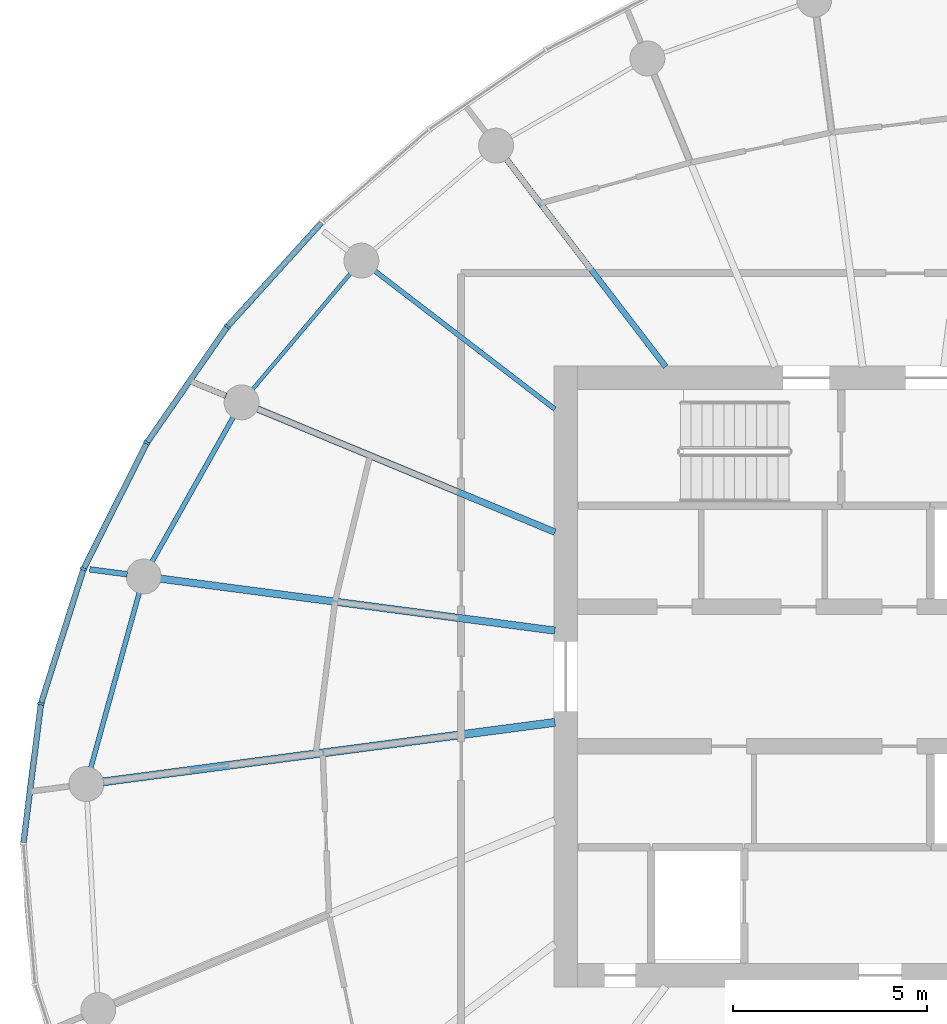
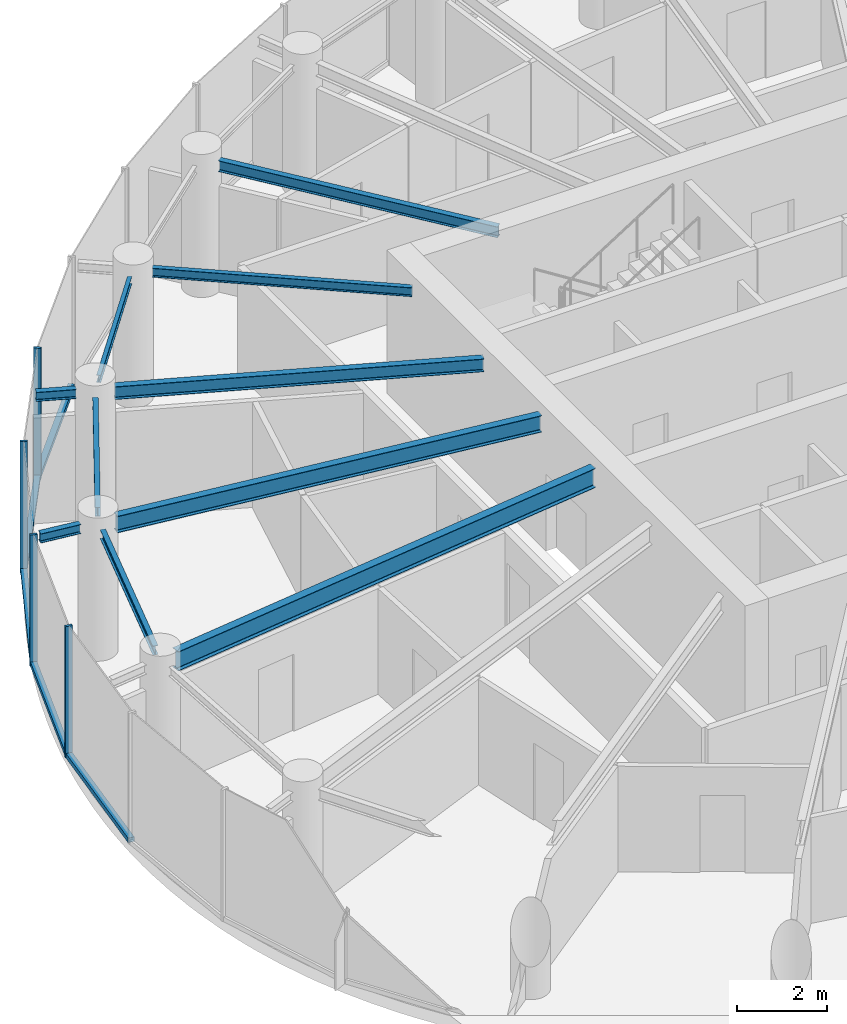
# One storey, part 4 of 15: 10 beams, 9 members, 2 elements without a shape of their own.
"""IFC4 building model written with IfcOpenShell, lengths in metres."""

import ifcopenshell
import ifcopenshell.guid

model = None  # the IFC model being written
_history = None  # IfcOwnerHistory: only IFC2X3 demands one
_inside = {}  # id of a spatial element -> (the spatial element, [elements in it])
_under = {}  # id of a project, library or spatial element -> (it, [spatial elements below it])
_declared = {}  # id of a project -> (the project, [libraries it declares])
_typed = {}  # id of a type object -> (the type object, [elements of that type])
_made_of = {}  # id of a material, layer set ... -> (it, [elements and type objects made of it])


def new_model(schema):
    """Start an empty IFC model of exactly this schema.

    Asked for "IFC4X3", IfcOpenShell would pick the latest addendum, in which some entities
    have other attributes; the version numbers below select the first issue.
    IFC2X3 requires an IfcOwnerHistory on every rooted entity: one is made here for all.
    """
    global model, _history
    if schema == "IFC4X3":
        model = ifcopenshell.file(schema_version=(4, 3, 0, 0))
    else:
        model = ifcopenshell.file(schema=schema)
    _inside.clear()
    _under.clear()
    _declared.clear()
    _typed.clear()
    _made_of.clear()
    _history = None
    if model.schema == "IFC2X3":
        org = make("IfcOrganization", Name="unknown")
        user = make(
            "IfcPersonAndOrganization",
            ThePerson=make("IfcPerson", FamilyName="unknown"),
            TheOrganization=org,
        )
        app = make(
            "IfcApplication",
            ApplicationDeveloper=org,
            Version="unknown",
            ApplicationFullName="unknown",
            ApplicationIdentifier="unknown",
        )
        _history = make(
            "IfcOwnerHistory",
            OwningUser=user,
            OwningApplication=app,
            ChangeAction="ADDED",
            CreationDate=0,
        )
    return model


def make(cls, **values):
    """One entity of the class cls with the attributes given. An attribute that is None is left unset."""
    return model.create_entity(
        cls, **{name: value for name, value in values.items() if value is not None}
    )


def rooted(cls, **values):
    """An entity with a GlobalId (a new one), such as an element, a storey or a relation."""
    return make(cls, GlobalId=ifcopenshell.guid.new(), OwnerHistory=_history, **values)


def si_unit(unit_type, name, prefix=None):
    """IfcSIUnit, for example si_unit("LENGTHUNIT", "METRE", prefix="MILLI")."""
    return make("IfcSIUnit", UnitType=unit_type, Prefix=prefix, Name=name)


def assignment(units):
    """IfcUnitAssignment: the units of a project."""
    return None if units is None else make("IfcUnitAssignment", Units=units)


def point(xyz):
    """IfcCartesianPoint."""
    return None if xyz is None else make("IfcCartesianPoint", Coordinates=xyz)


def direction(xyz):
    """IfcDirection."""
    return None if xyz is None else make("IfcDirection", DirectionRatios=xyz)


def frame(location, z_axis=None, x_axis=None):
    """IfcAxis2Placement3D, a coordinate frame: its origin and axes. An axis left out is left unset."""
    return make(
        "IfcAxis2Placement3D",
        Location=point(location),
        Axis=direction(z_axis),
        RefDirection=direction(x_axis),
    )


def frame_2d(location, x_axis=None):
    """IfcAxis2Placement2D, a coordinate frame in the plane: its origin and x axis."""
    return make(
        "IfcAxis2Placement2D", Location=point(location), RefDirection=direction(x_axis)
    )


def origin():
    """The frame at (0, 0, 0) with its axes left unset."""
    return frame((0.0, 0.0, 0.0))


def origin_2d():
    """The frame at (0, 0) in the plane with its x axis left unset."""
    return frame_2d((0.0, 0.0))


def place(relative_to, where):
    """IfcLocalPlacement: puts the frame where relative to a parent placement (None: the world)."""
    return make(
        "IfcLocalPlacement", PlacementRelTo=relative_to, RelativePlacement=where
    )


def context(
    kind, dimensions, precision=None, world=None, true_north=None, identifier=None
):
    """IfcGeometricRepresentationContext, for example the 3D "Model" context."""
    return make(
        "IfcGeometricRepresentationContext",
        ContextIdentifier=identifier,
        ContextType=kind,
        CoordinateSpaceDimension=dimensions,
        Precision=precision,
        WorldCoordinateSystem=world,
        TrueNorth=true_north,
    )


def subcontext(parent, identifier, kind, view, scale=None):
    """IfcGeometricRepresentationSubContext, for example "Body" below "Model"."""
    return make(
        "IfcGeometricRepresentationSubContext",
        ContextIdentifier=identifier,
        ContextType=kind,
        ParentContext=parent,
        TargetScale=scale,
        TargetView=view,
    )


def project(units=None, contexts=None):
    """IfcProject with its units and contexts."""
    return rooted(
        "IfcProject",
        Name="project",
        RepresentationContexts=contexts,
        UnitsInContext=assignment(units),
    )


def spatial(cls, under=None, at=None, **own):
    """A site, building, storey or space (cls), placed at a placement, below another one or the project."""
    s = rooted(cls, ObjectPlacement=at, **own)
    if under is not None:
        _under.setdefault(under.id(), (under, []))[1].append(s)
    return s


def profile(cls, at=None, kind="AREA", **sizes):
    """A parametric profile (cls). Its sizes go by their IFC names, for example OverallWidth=200.0."""
    return make(cls, ProfileType=kind, Position=at, **sizes)


def rectangle(**sizes):
    """IfcRectangleProfileDef."""
    return profile("IfcRectangleProfileDef", **sizes)


def i_section(**sizes):
    """IfcIShapeProfileDef."""
    return profile("IfcIShapeProfileDef", **sizes)


def extrude(swept, where, along, depth):
    """IfcExtrudedAreaSolid: the profile swept, set in the frame where, extruded along a direction by depth."""
    return make(
        "IfcExtrudedAreaSolid",
        SweptArea=swept,
        Position=where,
        ExtrudedDirection=direction(along),
        Depth=depth,
    )


def shape(context_of_items, identifier, shape_type, items):
    """IfcShapeRepresentation: the items that make up one representation, for example the "Body"."""
    return make(
        "IfcShapeRepresentation",
        ContextOfItems=context_of_items,
        RepresentationIdentifier=identifier,
        RepresentationType=shape_type,
        Items=items,
    )


def source(mapping_origin, context_of_items, identifier, shape_type, items):
    """IfcRepresentationMap: a shape defined once, which mapped items show again and again."""
    return make(
        "IfcRepresentationMap",
        MappingOrigin=mapping_origin,
        MappedRepresentation=shape(context_of_items, identifier, shape_type, items),
    )


def transform(
    local_origin,
    x_axis=None,
    y_axis=None,
    z_axis=None,
    scale=None,
    scale2=None,
    scale3=None,
    uniform=True,
):
    """IfcCartesianTransformationOperator3D, or its non-uniform kind. x_axis, y_axis, z_axis: its Axis1, 2, 3."""
    if uniform:
        return make(
            "IfcCartesianTransformationOperator3D",
            Axis1=direction(x_axis),
            Axis2=direction(y_axis),
            LocalOrigin=point(local_origin),
            Scale=scale,
            Axis3=direction(z_axis),
        )
    return make(
        "IfcCartesianTransformationOperator3DnonUniform",
        Axis1=direction(x_axis),
        Axis2=direction(y_axis),
        LocalOrigin=point(local_origin),
        Scale=scale,
        Axis3=direction(z_axis),
        Scale2=scale2,
        Scale3=scale3,
    )


def mapped(mapping_source, mapping_target):
    """IfcMappedItem: shows the shape of a source again, moved by a transform."""
    return make(
        "IfcMappedItem", MappingSource=mapping_source, MappingTarget=mapping_target
    )


def material(Name=None, Category=None):
    """IfcMaterial."""
    return make("IfcMaterial", Name=Name, Category=Category)


def layer(
    of_material, thickness, ventilated=None, Name=None, Category=None, Priority=None
):
    """IfcMaterialLayer: one layer of a wall or slab, of a material (None: an air gap)."""
    return make(
        "IfcMaterialLayer",
        Material=of_material,
        LayerThickness=thickness,
        IsVentilated=ventilated,
        Name=Name,
        Category=Category,
        Priority=Priority,
    )


def layer_set(layers, Name=None):
    """IfcMaterialLayerSet."""
    return make("IfcMaterialLayerSet", MaterialLayers=layers, LayerSetName=Name)


def material_profile(
    of_material, cross_section, Name=None, Category=None, Priority=None
):
    """IfcMaterialProfile: a cross section and its material."""
    return make(
        "IfcMaterialProfile",
        Name=Name,
        Material=of_material,
        Profile=cross_section,
        Priority=Priority,
        Category=Category,
    )


def profile_set(profiles, Name=None, composite=None):
    """IfcMaterialProfileSet."""
    return make(
        "IfcMaterialProfileSet",
        Name=Name,
        MaterialProfiles=profiles,
        CompositeProfile=composite,
    )


def made_of(thing, what):
    """Note that an element or type object is made of a material, layer set ...; save() writes the relation."""
    if what is not None:
        _made_of.setdefault(what.id(), (what, []))[1].append(thing)
    return thing


def type_object(cls, material=None, **own):
    """A type object (cls), such as IfcWallType, which elements share."""
    return made_of(rooted(cls, **own), material)


def element(
    cls,
    number,
    at=None,
    inside=None,
    cuts=None,
    type_object=None,
    material=None,
    context=None,
    identifier="Body",
    shape_type=None,
    held_by="IfcProductDefinitionShape",
    body=None,
    shapes=None,
    **own,
):
    """One element of the class cls, such as IfcWall. Its Tag is "e" and its number.

    at: its placement. inside: the storey or other place that contains it. cuts: it is an
    opening in that element (IfcRelVoidsElement). A single representation is given by context,
    identifier, shape_type and body (its items); several are given by shapes. held_by: the class
    of the entity that holds the representations. save() writes the other relations.
    """
    e = rooted(cls, Tag="e%d" % number, ObjectPlacement=at, **own)
    if body is not None:
        shapes = [shape(context, identifier, shape_type, body)]
    if shapes is not None:
        e.Representation = make(held_by, Representations=shapes)
    if inside is not None:
        _inside.setdefault(inside.id(), (inside, []))[1].append(e)
    if cuts is not None:
        rooted(
            "IfcRelVoidsElement", RelatingBuildingElement=cuts, RelatedOpeningElement=e
        )
    if type_object is not None:
        _typed.setdefault(type_object.id(), (type_object, []))[1].append(e)
    return made_of(e, material)


def aggregate(whole, parts):
    """IfcRelAggregates: a whole, such as a stair, and the parts it consists of."""
    return rooted("IfcRelAggregates", RelatingObject=whole, RelatedObjects=parts)


def save(model, path):
    """Write the relations noted so far, then the file.

    IfcRelAggregates (storeys below a building ...), IfcRelContainedInSpatialStructure (elements
    in a storey), IfcRelDefinesByType, IfcRelAssociatesMaterial and IfcRelDeclares: one each for
    every whole, place, type object, material and project.
    """
    for whole, parts in _under.values():
        aggregate(whole, parts)
    for where, things in _inside.values():
        rooted(
            "IfcRelContainedInSpatialStructure",
            RelatedElements=things,
            RelatingStructure=where,
        )
    for kind, things in _typed.values():
        rooted("IfcRelDefinesByType", RelatedObjects=things, RelatingType=kind)
    for what, things in _made_of.values():
        rooted("IfcRelAssociatesMaterial", RelatedObjects=things, RelatingMaterial=what)
    for by, libraries in _declared.values():
        rooted("IfcRelDeclares", RelatingContext=by, RelatedDefinitions=libraries)
    model.write(path)


model = new_model("IFC4")

# Units and contexts
model_context = context("Model", 3, precision=1e-05, world=origin(), true_north=direction((0.0, 1.0)))
body_context = subcontext(model_context, "Body", "Model", "MODEL_VIEW")
ifc_project = project(units=[si_unit("LENGTHUNIT", "METRE"), si_unit("AREAUNIT", "SQUARE_METRE"), si_unit("VOLUMEUNIT", "CUBIC_METRE"), si_unit("PLANEANGLEUNIT", "RADIAN"), si_unit("MASSUNIT", "GRAM", prefix="KILO")], contexts=[model_context])

# Site, building, storey
site_placement = place(None, origin())
site = spatial("IfcSite", under=ifc_project, at=site_placement, CompositionType="ELEMENT")
building_placement = place(site_placement, origin())
building = spatial("IfcBuilding", under=site, at=building_placement, Name="Spindrift Exchange Tower", CompositionType="ELEMENT")
storey_placement = place(building_placement, frame((0.0, 0.0, 195.5)))
storey = spatial("IfcBuildingStorey", under=building, at=storey_placement, Name="L47", CompositionType="ELEMENT", Elevation=195.5)

# Beams
ifc_material_1 = material(Name="Steel Grade 300", Category="steel")
ifc_material_profile_1 = material_profile(ifc_material_1, i_section(OverallWidth=0.208984375, OverallDepth=0.528076171875, WebThickness=0.009521484375, FlangeThickness=0.01318359375, FilletRadius=0.013916015625, at=origin_2d()), Name="530UB82.0")
ifc_profile_set_1 = profile_set([ifc_material_profile_1], Name="Steel Grade 300")
beam_type_1 = type_object("IfcBeamType", Name="Floor Beam 530UB82.0 Steel Grade 300", PredefinedType="BEAM", material=ifc_profile_set_1)
shared_shape_1 = source(origin(), body_context, "Body", "SweptSolid", [
    extrude(i_section(OverallWidth=0.208984375, OverallDepth=0.528076171875, WebThickness=0.009521484375, FlangeThickness=0.01318359375, FilletRadius=0.013916015625, at=origin_2d()), origin(), (0.0, 0.0, 1.0), 11.75634765625),
])
beam_1_placement = place(storey_placement, frame((43.019775390625, 46.817626953125, 3.31591796875), z_axis=(-0.991445811455, -0.13051897543, 0.0), x_axis=(0.13051897543, -0.991445811455, 0.0)))
element("IfcBeam", 1, at=beam_1_placement, inside=storey, type_object=beam_type_1, Name="L47 radial beam R13A", PredefinedType="BEAM", context=body_context, shape_type="MappedRepresentation", body=[
    mapped(shared_shape_1, transform((0.0, 0.0, 0.0), scale=1.0)),
])
ifc_material_profile_2 = material_profile(ifc_material_1, i_section(OverallWidth=0.14892578125, OverallDepth=0.298095703125, WebThickness=0.005615234375, FlangeThickness=0.008056640625, FilletRadius=0.012939453125, at=origin_2d()), Name="310UB32.0")
ifc_profile_set_2 = profile_set([ifc_material_profile_2], Name="Steel Grade 300")
beam_type_2 = type_object("IfcBeamType", Name="Floor Beam 310UB32.0 Steel Grade 300", PredefinedType="BEAM", material=ifc_profile_set_2)
shared_shape_2 = source(origin(), body_context, "Body", "SweptSolid", [
    extrude(i_section(OverallWidth=0.14892578125, OverallDepth=0.298095703125, WebThickness=0.005615234375, FlangeThickness=0.008056640625, FilletRadius=0.012939453125, at=origin_2d()), origin(), (0.0, 0.0, 1.0), 6.753173828125),
])
beam_2_placement = place(storey_placement, frame((45.87353515625, 55.984130859375, 3.430908203125), z_axis=(-0.608761639459, 0.793353178807, 0.0), x_axis=(-0.793353178807, -0.608761639459, 0.0)))
element("IfcBeam", 2, at=beam_2_placement, inside=storey, type_object=beam_type_2, Name="L47 radial beam R09A", PredefinedType="BEAM", context=body_context, shape_type="MappedRepresentation", body=[
    mapped(shared_shape_2, transform((0.0, 0.0, 0.0), scale=1.0)),
])
ifc_material_profile_3 = material_profile(ifc_material_1, i_section(OverallWidth=0.1240234375, OverallDepth=0.248046875, WebThickness=0.0048828125, FlangeThickness=0.008056640625, FilletRadius=0.011962890625, at=origin_2d()), Name="250UB25.7")
ifc_profile_set_3 = profile_set([ifc_material_profile_3], Name="Steel Grade 300")
beam_type_3 = type_object("IfcBeamType", Name="Floor Beam 250UB25.7 Steel Grade 300", PredefinedType="BEAM", material=ifc_profile_set_3)
shared_shape_3 = source(origin(), body_context, "Body", "SweptSolid", [
    extrude(i_section(OverallWidth=0.1240234375, OverallDepth=0.248046875, WebThickness=0.0048828125, FlangeThickness=0.008056640625, FilletRadius=0.011962890625, at=origin_2d()), origin(), (0.0, 0.0, 1.0), 5.855712890625),
])
beam_3_placement = place(storey_placement, frame((43.015869140625, 54.893798828125, 3.4560546875), z_axis=(-0.793362708479, 0.608749219954, 0.0), x_axis=(-0.608749219954, -0.793362708479, 0.0)))
element("IfcBeam", 3, at=beam_3_placement, inside=storey, type_object=beam_type_3, Name="L47 radial beam R10A", PredefinedType="BEAM", context=body_context, shape_type="MappedRepresentation", body=[
    mapped(shared_shape_3, transform((0.0, 0.0, 0.0), scale=1.0)),
])
ifc_material_profile_4 = material_profile(ifc_material_1, i_section(OverallWidth=0.1708984375, OverallDepth=0.35205078125, WebThickness=0.0068359375, FlangeThickness=0.009765625, FilletRadius=0.013916015625, at=origin_2d()), Name="360UB44.7")
ifc_profile_set_4 = profile_set([ifc_material_profile_4], Name="Steel Grade 300")
beam_type_4 = type_object("IfcBeamType", Name="Floor Beam 360UB44.7 Steel Grade 300", PredefinedType="BEAM", material=ifc_profile_set_4)
shared_shape_4 = source(origin(), body_context, "Body", "SweptSolid", [
    extrude(i_section(OverallWidth=0.1708984375, OverallDepth=0.35205078125, WebThickness=0.0068359375, FlangeThickness=0.009765625, FilletRadius=0.013916015625, at=origin_2d()), origin(), (0.0, 0.0, 1.0), 8.3134765625),
])
beam_4_placement = place(storey_placement, frame((43.0185546875, 51.72021484375, 3.404052734375), z_axis=(-0.923881179957, 0.382679455055, 0.0), x_axis=(-0.382679455055, -0.923881179957, 0.0)))
element("IfcBeam", 4, at=beam_4_placement, inside=storey, type_object=beam_type_4, Name="L47 radial beam R11A", PredefinedType="BEAM", context=body_context, shape_type="MappedRepresentation", body=[
    mapped(shared_shape_4, transform((0.0, 0.0, 0.0), scale=1.0)),
])
ifc_material_profile_5 = material_profile(ifc_material_1, i_section(OverallWidth=0.18994140625, OverallDepth=0.4541015625, WebThickness=0.008544921875, FlangeThickness=0.0126953125, FilletRadius=0.013916015625, at=origin_2d()), Name="460UB67.1")
ifc_profile_set_5 = profile_set([ifc_material_profile_5], Name="Steel Grade 300")
beam_type_5 = type_object("IfcBeamType", Name="Floor Beam 460UB67.1 Steel Grade 300", PredefinedType="BEAM", material=ifc_profile_set_5)
shared_shape_5 = source(origin(), body_context, "Body", "SweptSolid", [
    extrude(i_section(OverallWidth=0.18994140625, OverallDepth=0.4541015625, WebThickness=0.008544921875, FlangeThickness=0.0126953125, FilletRadius=0.013916015625, at=origin_2d()), origin(), (0.0, 0.0, 1.0), 10.262451171875),
])
beam_5_placement = place(storey_placement, frame((43.019775390625, 49.182373046875, 3.35302734375), z_axis=(-0.991446763371, 0.130511744304, 0.0), x_axis=(-0.130511744304, -0.991446763371, 0.0)))
element("IfcBeam", 5, at=beam_5_placement, inside=storey, type_object=beam_type_5, Name="L47 radial beam R12A", PredefinedType="BEAM", context=body_context, shape_type="MappedRepresentation", body=[
    mapped(shared_shape_5, transform((0.0, 0.0, 0.0), scale=1.0)),
])
ifc_material_profile_6 = material_profile(ifc_material_1, i_section(OverallWidth=0.09912109375, OverallDepth=0.197998046875, WebThickness=0.00439453125, FlangeThickness=0.007080078125, FilletRadius=0.010986328125, at=origin_2d()), Name="200UB18.2")
ifc_profile_set_6 = profile_set([ifc_material_profile_6], Name="Steel Grade 300")
beam_type_6 = type_object("IfcBeamType", Name="Edge Beam 200UB18.2 Steel Grade 300", PredefinedType="SPANDREL", material=ifc_profile_set_6)
shared_shape_6 = source(origin(), body_context, "Body", "SweptSolid", [
    extrude(i_section(OverallWidth=0.09912109375, OverallDepth=0.197998046875, WebThickness=0.00439453125, FlangeThickness=0.007080078125, FilletRadius=0.010986328125, at=origin_2d()), origin(), (0.0, 0.0, 1.0), 3.92431640625),
])
beam_6_placement = place(storey_placement, frame((37.75146484375, 58.391845703125, 3.48095703125), z_axis=(-0.645498720032, -0.763761351757, 0.0), x_axis=(0.763761351757, -0.645498720032, 0.0)))
element("IfcBeam", 6, at=beam_6_placement, inside=storey, type_object=beam_type_6, Name="L47 edge beam E10", PredefinedType="SPANDREL", context=body_context, shape_type="MappedRepresentation", body=[
    mapped(shared_shape_6, transform((0.0, 0.0, 0.0), scale=1.0)),
])
ifc_material_profile_7 = material_profile(ifc_material_1, i_section(OverallWidth=0.1240234375, OverallDepth=0.248046875, WebThickness=0.0048828125, FlangeThickness=0.008056640625, FilletRadius=0.011962890625, at=origin_2d()), Name="250UB25.7")
ifc_profile_set_7 = profile_set([ifc_material_profile_7], Name="Steel Grade 300")
beam_type_7 = type_object("IfcBeamType", Name="Edge Beam 250UB25.7 Steel Grade 300", PredefinedType="SPANDREL", material=ifc_profile_set_7)
shared_shape_7 = source(origin(), body_context, "Body", "SweptSolid", [
    extrude(i_section(OverallWidth=0.1240234375, OverallDepth=0.248046875, WebThickness=0.0048828125, FlangeThickness=0.008056640625, FilletRadius=0.011962890625, at=origin_2d()), origin(), (0.0, 0.0, 1.0), 4.2880859375),
])
beam_7_placement = place(storey_placement, frame((34.72998046875, 54.69140625, 3.4560546875), z_axis=(-0.489804347673, -0.871832381253, 0.0), x_axis=(0.871832381253, -0.489804347673, 0.0)))
element("IfcBeam", 7, at=beam_7_placement, inside=storey, type_object=beam_type_7, Name="L47 edge beam E11", PredefinedType="SPANDREL", context=body_context, shape_type="MappedRepresentation", body=[
    mapped(shared_shape_7, transform((0.0, 0.0, 0.0), scale=1.0)),
])
shared_shape_8 = source(origin(), body_context, "Body", "SweptSolid", [
    extrude(i_section(OverallWidth=0.1240234375, OverallDepth=0.248046875, WebThickness=0.0048828125, FlangeThickness=0.008056640625, FilletRadius=0.011962890625, at=origin_2d()), origin(), (0.0, 0.0, 1.0), 4.69189453125),
])
beam_8_placement = place(storey_placement, frame((32.30419921875, 50.16357421875, 3.4560546875), z_axis=(-0.266774248618, -0.963759046792, 0.0), x_axis=(0.963759046792, -0.266774248618, 0.0)))
element("IfcBeam", 8, at=beam_8_placement, inside=storey, type_object=beam_type_7, Name="L47 edge beam E12", PredefinedType="SPANDREL", context=body_context, shape_type="MappedRepresentation", body=[
    mapped(shared_shape_8, transform((0.0, 0.0, 0.0), scale=1.0)),
])
ifc_material_profile_8 = material_profile(ifc_material_1, i_section(OverallWidth=0.14599609375, OverallDepth=0.251953125, WebThickness=0.006103515625, FlangeThickness=0.008544921875, FilletRadius=0.011962890625, at=origin_2d()), Name="250UB31.4")
ifc_profile_set_8 = profile_set([ifc_material_profile_8], Name="Steel Grade 300")
beam_type_8 = type_object("IfcBeamType", Name="Cantilever Beam 250UB31.4 Steel Grade 300", PredefinedType="BEAM", material=ifc_profile_set_8)
shared_shape_9 = source(origin(), body_context, "Body", "SweptSolid", [
    extrude(i_section(OverallWidth=0.14599609375, OverallDepth=0.251953125, WebThickness=0.006103515625, FlangeThickness=0.008544921875, FilletRadius=0.011962890625, at=origin_2d()), origin(), (0.0, 0.0, 1.0), 0.907470703125),
])
beam_9_placement = place(storey_placement, frame((34.543212890625, 55.230712890625, 3.4541015625), z_axis=(-0.923823345781, 0.382819050975, 0.0), x_axis=(-0.382819050975, -0.923823345781, 0.0)))
element("IfcBeam", 9, at=beam_9_placement, inside=storey, type_object=beam_type_8, Name="L47 cantilever beam R11T", PredefinedType="BEAM", context=body_context, shape_type="MappedRepresentation", body=[
    mapped(shared_shape_9, transform((0.0, 0.0, 0.0), scale=1.0)),
])
shared_shape_10 = source(origin(), body_context, "Body", "SweptSolid", [
    extrude(i_section(OverallWidth=0.14599609375, OverallDepth=0.251953125, WebThickness=0.006103515625, FlangeThickness=0.008544921875, FilletRadius=0.011962890625, at=origin_2d()), origin(), (0.0, 0.0, 1.0), 0.975830078125),
])
beam_10_placement = place(storey_placement, frame((31.99267578125, 50.634033203125, 3.4541015625), z_axis=(-0.99143640455, 0.130590412106, 0.0), x_axis=(-0.130590412106, -0.99143640455, 0.0)))
element("IfcBeam", 10, at=beam_10_placement, inside=storey, type_object=beam_type_8, Name="L47 cantilever beam R12T", PredefinedType="BEAM", context=body_context, shape_type="MappedRepresentation", body=[
    mapped(shared_shape_10, transform((0.0, 0.0, 0.0), scale=1.0)),
])

# Curtain wall, members
ifc_material_2 = material(Name="Fritted laminated glass with bronze frame", Category="glass")
ifc_layer = layer(ifc_material_2, 0.169921875)
ifc_layer_set = layer_set([ifc_layer], Name="ZONE 4 BRONZE FRITTED WALL")
curtain_wall_type = type_object("IfcCurtainWallType", Name="ZONE 4 BRONZE FRITTED WALL", PredefinedType="NOTDEFINED", material=ifc_layer_set)
curtain_wall_1_placement = place(storey_placement, origin())
curtain_wall_1 = element("IfcCurtainWall", 11, at=curtain_wall_1_placement, inside=storey, type_object=curtain_wall_type, Name="L47 Zone 4 Bronze Fritted Wall run 3", PredefinedType="NOTDEFINED")
ifc_material_3 = material(Name="Bronze anodised aluminium", Category="aluminium")
ifc_material_profile_9 = material_profile(ifc_material_3, rectangle(XDim=0.14990234375, YDim=0.125, at=origin_2d()), Name="ZONE 4 BRONZE FRITTED WALL TRANSOM 150X125")
ifc_profile_set_9 = profile_set([ifc_material_profile_9], Name="Bronze anodised aluminium")
member_type_1 = type_object("IfcMemberType", Name="ZONE 4 BRONZE FRITTED WALL TRANSOM 150X125", PredefinedType="USERDEFINED", material=ifc_profile_set_9)
shared_shape_11 = source(origin(), body_context, "Body", "SweptSolid", [
    extrude(rectangle(XDim=0.14990234375, YDim=0.125, at=origin_2d()), origin(), (0.0, 0.0, 1.0), 3.5771484375),
])
member_1_placement = place(storey_placement, frame((34.5556640625, 56.991943359375, 0.0625), z_axis=(-0.569806047355, -0.821779209032, 0.0), x_axis=(0.821779209032, -0.569806047355, 0.0)))
member_1 = element("IfcMember", 12, at=member_1_placement, type_object=member_type_1, Name="L47 transom CW-4.13", ObjectType="TRANSOM", PredefinedType="USERDEFINED", context=body_context, shape_type="MappedRepresentation", body=[
    mapped(shared_shape_11, transform((0.0, 0.0, 0.0), scale=1.0)),
])
shared_shape_12 = source(origin(), body_context, "Body", "SweptSolid", [
    extrude(rectangle(XDim=0.14990234375, YDim=0.125, at=origin_2d()), origin(), (0.0, 0.0, 1.0), 3.575439453125),
])
member_2_placement = place(storey_placement, frame((30.856689453125, 50.739501953125, 0.0625), z_axis=(-0.301461404262, -0.953478380321, 0.0), x_axis=(0.953478380321, -0.301461404262, 0.0)))
member_2 = element("IfcMember", 13, at=member_2_placement, type_object=member_type_1, Name="L47 transom CW-4.15", ObjectType="TRANSOM", PredefinedType="USERDEFINED", context=body_context, shape_type="MappedRepresentation", body=[
    mapped(shared_shape_12, transform((0.0, 0.0, 0.0), scale=1.0)),
])
shared_shape_13 = source(origin(), body_context, "Body", "SweptSolid", [
    extrude(rectangle(XDim=0.14990234375, YDim=0.125, at=origin_2d()), origin(), (0.0, 0.0, 1.0), 3.573974609375),
])
member_3_placement = place(storey_placement, frame((29.764892578125, 47.26708984375, 0.0625), z_axis=(-0.124732508161, -0.992190405823, 0.0), x_axis=(0.992190405823, -0.124732508161, 0.0)))
member_3 = element("IfcMember", 14, at=member_3_placement, type_object=member_type_1, Name="L47 transom CW-4.16", ObjectType="TRANSOM", PredefinedType="USERDEFINED", context=body_context, shape_type="MappedRepresentation", body=[
    mapped(shared_shape_13, transform((0.0, 0.0, 0.0), scale=1.0)),
])

# Curtain wall, member
curtain_wall_2_placement = place(storey_placement, origin())
curtain_wall_2 = element("IfcCurtainWall", 15, at=curtain_wall_2_placement, inside=storey, type_object=curtain_wall_type, Name="L47 Zone 4 Bronze Fritted Wall run 2", PredefinedType="NOTDEFINED")
shared_shape_14 = source(origin(), body_context, "Body", "SweptSolid", [
    extrude(rectangle(XDim=0.14990234375, YDim=0.125, at=origin_2d()), origin(), (0.0, 0.0, 1.0), 3.577392578125),
])
member_4_placement = place(storey_placement, frame((36.996826171875, 59.695068359375, 0.0625), z_axis=(-0.671050908188, -0.741411274948, 0.0), x_axis=(0.741411274948, -0.671050908188, 0.0)))
member_4 = element("IfcMember", 16, at=member_4_placement, type_object=member_type_1, Name="L47 transom CW-4.12", ObjectType="TRANSOM", PredefinedType="USERDEFINED", context=body_context, shape_type="MappedRepresentation", body=[
    mapped(shared_shape_14, transform((0.0, 0.0, 0.0), scale=1.0)),
])
aggregate(curtain_wall_2, [member_4])

# Member
ifc_material_profile_10 = material_profile(ifc_material_3, rectangle(XDim=0.06494140625, YDim=0.169921875, at=origin_2d()), Name="ZONE 4 BRONZE FRITTED WALL MULLION 65X170")
ifc_profile_set_10 = profile_set([ifc_material_profile_10], Name="Bronze anodised aluminium")
member_type_2 = type_object("IfcMemberType", Name="ZONE 4 BRONZE FRITTED WALL MULLION 65X170", PredefinedType="MULLION", material=ifc_profile_set_10)
shared_shape_15 = source(origin(), body_context, "Body", "SweptSolid", [
    extrude(rectangle(XDim=0.06494140625, YDim=0.169921875, at=origin_2d()), origin(), (0.0, 0.0, 1.0), 3.580078125),
])
member_5_placement = place(storey_placement, frame((34.57421875, 57.0185546875, 0.0), z_axis=(0.0, 0.0, 1.0), x_axis=(-0.621746148851, -0.783218824077, 0.0)))
member_5 = element("IfcMember", 17, at=member_5_placement, type_object=member_type_2, Name="L47 mullion CW-4.13", PredefinedType="MULLION", context=body_context, shape_type="MappedRepresentation", body=[
    mapped(shared_shape_15, transform((0.0, 0.0, 0.0), scale=1.0)),
])

member_6_placement = place(storey_placement, frame((32.498779296875, 54.025634765625, 0.0), z_axis=(0.0, 0.0, 1.0), x_axis=(-0.510338301863, -0.859973730791, 0.0)))
member_6 = element("IfcMember", 18, at=member_6_placement, type_object=member_type_2, Name="L47 mullion CW-4.14", PredefinedType="MULLION", context=body_context, shape_type="MappedRepresentation", body=[
    mapped(shared_shape_15, transform((0.0, 0.0, 0.0), scale=1.0)),
])

member_7_placement = place(storey_placement, frame((30.866455078125, 50.7705078125, 0.0), z_axis=(0.0, 0.0, 1.0), x_axis=(-0.376041178024, -0.926602952958, 0.0)))
member_7 = element("IfcMember", 19, at=member_7_placement, type_object=member_type_2, Name="L47 mullion CW-4.15", PredefinedType="MULLION", context=body_context, shape_type="MappedRepresentation", body=[
    mapped(shared_shape_15, transform((0.0, 0.0, 0.0), scale=1.0)),
])

member_8_placement = place(storey_placement, frame((29.76904296875, 47.29931640625, 0.0), z_axis=(0.0, 0.0, 1.0), x_axis=(-0.213973841285, -0.976839390711, 0.0)))
member_8 = element("IfcMember", 20, at=member_8_placement, type_object=member_type_2, Name="L47 mullion CW-4.16", PredefinedType="MULLION", context=body_context, shape_type="MappedRepresentation", body=[
    mapped(shared_shape_15, transform((0.0, 0.0, 0.0), scale=1.0)),
])

shared_shape_16 = source(origin(), body_context, "Body", "SweptSolid", [
    extrude(rectangle(XDim=0.14990234375, YDim=0.125, at=origin_2d()), origin(), (0.0, 0.0, 1.0), 3.576416015625),
])
member_9_placement = place(storey_placement, frame((32.484130859375, 53.99658203125, 0.0625), z_axis=(-0.448278169577, -0.893894111559, 0.0), x_axis=(0.893894111559, -0.448278169577, 0.0)))
member_9 = element("IfcMember", 21, at=member_9_placement, type_object=member_type_1, Name="L47 transom CW-4.14", ObjectType="TRANSOM", PredefinedType="USERDEFINED", context=body_context, shape_type="MappedRepresentation", body=[
    mapped(shared_shape_16, transform((0.0, 0.0, 0.0), scale=1.0)),
])

aggregate(curtain_wall_1, [member_5, member_1, member_6, member_9, member_7, member_2, member_8, member_3])

save(model, "model.ifc")
